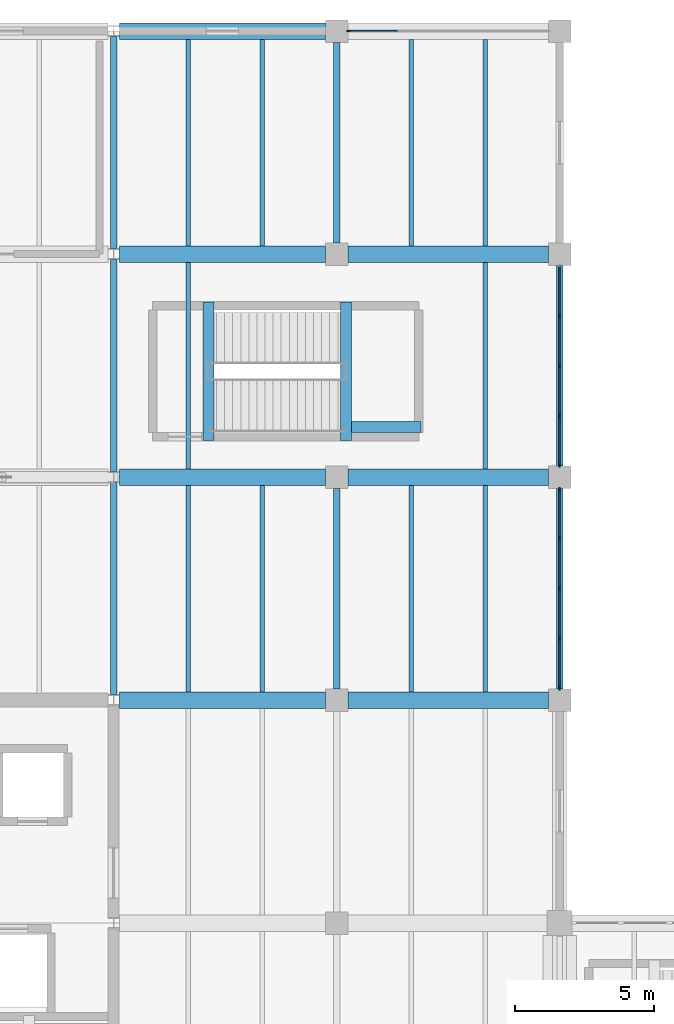
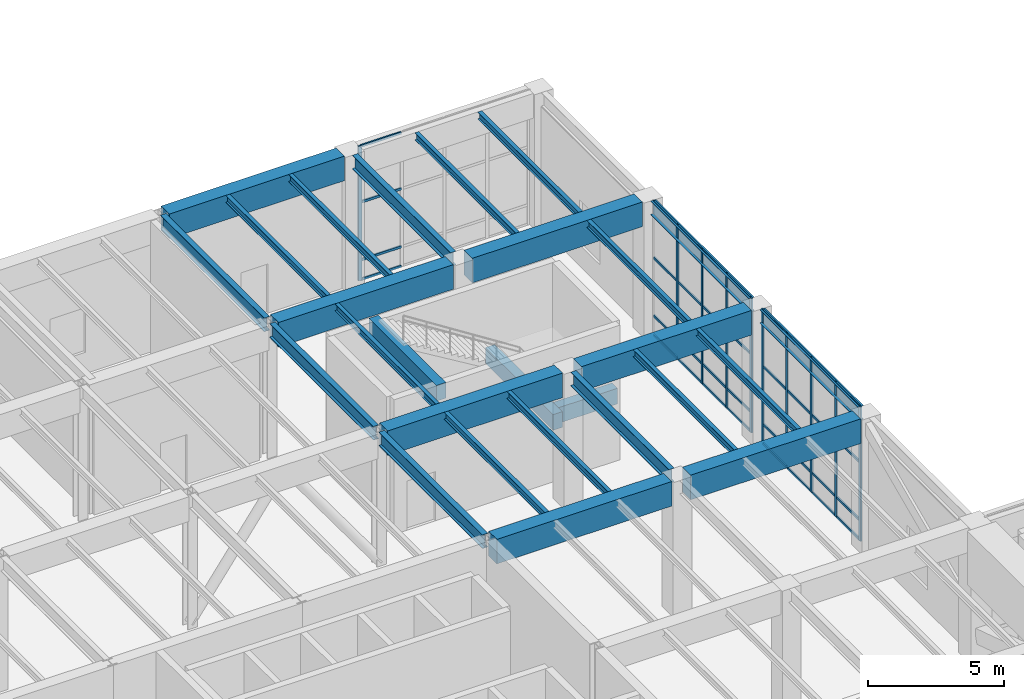
# One storey, part 23 of 51: 46 members, 27 beams, 3 elements without a shape of their own.
"""IFC4 building model written with IfcOpenShell, lengths in metres."""

import ifcopenshell
import ifcopenshell.guid

model = None  # the IFC model being written
_history = None  # IfcOwnerHistory: only IFC2X3 demands one
_inside = {}  # id of a spatial element -> (the spatial element, [elements in it])
_under = {}  # id of a project, library or spatial element -> (it, [spatial elements below it])
_declared = {}  # id of a project -> (the project, [libraries it declares])
_typed = {}  # id of a type object -> (the type object, [elements of that type])
_made_of = {}  # id of a material, layer set ... -> (it, [elements and type objects made of it])


def new_model(schema):
    """Start an empty IFC model of exactly this schema.

    Asked for "IFC4X3", IfcOpenShell would pick the latest addendum, in which some entities
    have other attributes; the version numbers below select the first issue.
    IFC2X3 requires an IfcOwnerHistory on every rooted entity: one is made here for all.
    """
    global model, _history
    if schema == "IFC4X3":
        model = ifcopenshell.file(schema_version=(4, 3, 0, 0))
    else:
        model = ifcopenshell.file(schema=schema)
    _inside.clear()
    _under.clear()
    _declared.clear()
    _typed.clear()
    _made_of.clear()
    _history = None
    if model.schema == "IFC2X3":
        org = make("IfcOrganization", Name="unknown")
        user = make(
            "IfcPersonAndOrganization",
            ThePerson=make("IfcPerson", FamilyName="unknown"),
            TheOrganization=org,
        )
        app = make(
            "IfcApplication",
            ApplicationDeveloper=org,
            Version="unknown",
            ApplicationFullName="unknown",
            ApplicationIdentifier="unknown",
        )
        _history = make(
            "IfcOwnerHistory",
            OwningUser=user,
            OwningApplication=app,
            ChangeAction="ADDED",
            CreationDate=0,
        )
    return model


def make(cls, **values):
    """One entity of the class cls with the attributes given. An attribute that is None is left unset."""
    return model.create_entity(
        cls, **{name: value for name, value in values.items() if value is not None}
    )


def rooted(cls, **values):
    """An entity with a GlobalId (a new one), such as an element, a storey or a relation."""
    return make(cls, GlobalId=ifcopenshell.guid.new(), OwnerHistory=_history, **values)


def si_unit(unit_type, name, prefix=None):
    """IfcSIUnit, for example si_unit("LENGTHUNIT", "METRE", prefix="MILLI")."""
    return make("IfcSIUnit", UnitType=unit_type, Prefix=prefix, Name=name)


def assignment(units):
    """IfcUnitAssignment: the units of a project."""
    return None if units is None else make("IfcUnitAssignment", Units=units)


def point(xyz):
    """IfcCartesianPoint."""
    return None if xyz is None else make("IfcCartesianPoint", Coordinates=xyz)


def direction(xyz):
    """IfcDirection."""
    return None if xyz is None else make("IfcDirection", DirectionRatios=xyz)


def frame(location, z_axis=None, x_axis=None):
    """IfcAxis2Placement3D, a coordinate frame: its origin and axes. An axis left out is left unset."""
    return make(
        "IfcAxis2Placement3D",
        Location=point(location),
        Axis=direction(z_axis),
        RefDirection=direction(x_axis),
    )


def frame_2d(location, x_axis=None):
    """IfcAxis2Placement2D, a coordinate frame in the plane: its origin and x axis."""
    return make(
        "IfcAxis2Placement2D", Location=point(location), RefDirection=direction(x_axis)
    )


def origin():
    """The frame at (0, 0, 0) with its axes left unset."""
    return frame((0.0, 0.0, 0.0))


def origin_2d():
    """The frame at (0, 0) in the plane with its x axis left unset."""
    return frame_2d((0.0, 0.0))


def place(relative_to, where):
    """IfcLocalPlacement: puts the frame where relative to a parent placement (None: the world)."""
    return make(
        "IfcLocalPlacement", PlacementRelTo=relative_to, RelativePlacement=where
    )


def context(
    kind, dimensions, precision=None, world=None, true_north=None, identifier=None
):
    """IfcGeometricRepresentationContext, for example the 3D "Model" context."""
    return make(
        "IfcGeometricRepresentationContext",
        ContextIdentifier=identifier,
        ContextType=kind,
        CoordinateSpaceDimension=dimensions,
        Precision=precision,
        WorldCoordinateSystem=world,
        TrueNorth=true_north,
    )


def subcontext(parent, identifier, kind, view, scale=None):
    """IfcGeometricRepresentationSubContext, for example "Body" below "Model"."""
    return make(
        "IfcGeometricRepresentationSubContext",
        ContextIdentifier=identifier,
        ContextType=kind,
        ParentContext=parent,
        TargetScale=scale,
        TargetView=view,
    )


def project(units=None, contexts=None):
    """IfcProject with its units and contexts."""
    return rooted(
        "IfcProject",
        Name="project",
        RepresentationContexts=contexts,
        UnitsInContext=assignment(units),
    )


def spatial(cls, under=None, at=None, **own):
    """A site, building, storey or space (cls), placed at a placement, below another one or the project."""
    s = rooted(cls, ObjectPlacement=at, **own)
    if under is not None:
        _under.setdefault(under.id(), (under, []))[1].append(s)
    return s


def profile(cls, at=None, kind="AREA", **sizes):
    """A parametric profile (cls). Its sizes go by their IFC names, for example OverallWidth=200.0."""
    return make(cls, ProfileType=kind, Position=at, **sizes)


def rectangle(**sizes):
    """IfcRectangleProfileDef."""
    return profile("IfcRectangleProfileDef", **sizes)


def i_section(**sizes):
    """IfcIShapeProfileDef."""
    return profile("IfcIShapeProfileDef", **sizes)


def extrude(swept, where, along, depth):
    """IfcExtrudedAreaSolid: the profile swept, set in the frame where, extruded along a direction by depth."""
    return make(
        "IfcExtrudedAreaSolid",
        SweptArea=swept,
        Position=where,
        ExtrudedDirection=direction(along),
        Depth=depth,
    )


def shape(context_of_items, identifier, shape_type, items):
    """IfcShapeRepresentation: the items that make up one representation, for example the "Body"."""
    return make(
        "IfcShapeRepresentation",
        ContextOfItems=context_of_items,
        RepresentationIdentifier=identifier,
        RepresentationType=shape_type,
        Items=items,
    )


def material(Name=None, Category=None):
    """IfcMaterial."""
    return make("IfcMaterial", Name=Name, Category=Category)


def layer(
    of_material, thickness, ventilated=None, Name=None, Category=None, Priority=None
):
    """IfcMaterialLayer: one layer of a wall or slab, of a material (None: an air gap)."""
    return make(
        "IfcMaterialLayer",
        Material=of_material,
        LayerThickness=thickness,
        IsVentilated=ventilated,
        Name=Name,
        Category=Category,
        Priority=Priority,
    )


def layer_set(layers, Name=None):
    """IfcMaterialLayerSet."""
    return make("IfcMaterialLayerSet", MaterialLayers=layers, LayerSetName=Name)


def material_profile(
    of_material, cross_section, Name=None, Category=None, Priority=None
):
    """IfcMaterialProfile: a cross section and its material."""
    return make(
        "IfcMaterialProfile",
        Name=Name,
        Material=of_material,
        Profile=cross_section,
        Priority=Priority,
        Category=Category,
    )


def profile_set(profiles, Name=None, composite=None):
    """IfcMaterialProfileSet."""
    return make(
        "IfcMaterialProfileSet",
        Name=Name,
        MaterialProfiles=profiles,
        CompositeProfile=composite,
    )


def made_of(thing, what):
    """Note that an element or type object is made of a material, layer set ...; save() writes the relation."""
    if what is not None:
        _made_of.setdefault(what.id(), (what, []))[1].append(thing)
    return thing


def type_object(cls, material=None, **own):
    """A type object (cls), such as IfcWallType, which elements share."""
    return made_of(rooted(cls, **own), material)


def element(
    cls,
    number,
    at=None,
    inside=None,
    cuts=None,
    type_object=None,
    material=None,
    context=None,
    identifier="Body",
    shape_type=None,
    held_by="IfcProductDefinitionShape",
    body=None,
    shapes=None,
    **own,
):
    """One element of the class cls, such as IfcWall. Its Tag is "e" and its number.

    at: its placement. inside: the storey or other place that contains it. cuts: it is an
    opening in that element (IfcRelVoidsElement). A single representation is given by context,
    identifier, shape_type and body (its items); several are given by shapes. held_by: the class
    of the entity that holds the representations. save() writes the other relations.
    """
    e = rooted(cls, Tag="e%d" % number, ObjectPlacement=at, **own)
    if body is not None:
        shapes = [shape(context, identifier, shape_type, body)]
    if shapes is not None:
        e.Representation = make(held_by, Representations=shapes)
    if inside is not None:
        _inside.setdefault(inside.id(), (inside, []))[1].append(e)
    if cuts is not None:
        rooted(
            "IfcRelVoidsElement", RelatingBuildingElement=cuts, RelatedOpeningElement=e
        )
    if type_object is not None:
        _typed.setdefault(type_object.id(), (type_object, []))[1].append(e)
    return made_of(e, material)


def aggregate(whole, parts):
    """IfcRelAggregates: a whole, such as a stair, and the parts it consists of."""
    return rooted("IfcRelAggregates", RelatingObject=whole, RelatedObjects=parts)


def save(model, path):
    """Write the relations noted so far, then the file.

    IfcRelAggregates (storeys below a building ...), IfcRelContainedInSpatialStructure (elements
    in a storey), IfcRelDefinesByType, IfcRelAssociatesMaterial and IfcRelDeclares: one each for
    every whole, place, type object, material and project.
    """
    for whole, parts in _under.values():
        aggregate(whole, parts)
    for where, things in _inside.values():
        rooted(
            "IfcRelContainedInSpatialStructure",
            RelatedElements=things,
            RelatingStructure=where,
        )
    for kind, things in _typed.values():
        rooted("IfcRelDefinesByType", RelatedObjects=things, RelatingType=kind)
    for what, things in _made_of.values():
        rooted("IfcRelAssociatesMaterial", RelatedObjects=things, RelatingMaterial=what)
    for by, libraries in _declared.values():
        rooted("IfcRelDeclares", RelatingContext=by, RelatedDefinitions=libraries)
    model.write(path)


model = new_model("IFC4")

# Units and contexts
model_context = context("Model", 3, precision=1e-05, world=origin(), true_north=direction((0.0, 1.0)))
body_context = subcontext(model_context, "Body", "Model", "MODEL_VIEW")
ifc_project = project(units=[si_unit("LENGTHUNIT", "METRE"), si_unit("AREAUNIT", "SQUARE_METRE"), si_unit("VOLUMEUNIT", "CUBIC_METRE"), si_unit("PLANEANGLEUNIT", "RADIAN"), si_unit("MASSUNIT", "GRAM", prefix="KILO")], contexts=[model_context])

# Site, building, storey
site_placement = place(None, origin())
site = spatial("IfcSite", under=ifc_project, at=site_placement, CompositionType="ELEMENT")
building_placement = place(site_placement, origin())
building = spatial("IfcBuilding", under=site, at=building_placement, Name="Varnela Railside Interchange", CompositionType="ELEMENT")
storey_placement = place(building_placement, origin())
storey = spatial("IfcBuildingStorey", under=building, at=storey_placement, Name="L00", CompositionType="ELEMENT", Elevation=0.0)

# Beams
ifc_material_1 = material(Name="Steel AR 350 (350 MPa)", Category="steel")
ifc_material_profile_1 = material_profile(ifc_material_1, i_section(OverallWidth=0.1669921875, OverallDepth=0.31689453125, WebThickness=0.007568359375, FlangeThickness=0.01318359375, at=origin_2d()), Name="W310x52")
ifc_profile_set_1 = profile_set([ifc_material_profile_1], Name="Steel AR 350 (350 MPa)")
beam_type_1 = type_object("IfcBeamType", Name="Composite Long-Span Joist J-03", PredefinedType="JOIST", material=ifc_profile_set_1)
for number, where, z_axis, x_axis, name in (
    (1, (38.669921875, 70.300048828125, 5.861572265625), (0.0, 1.0, 0.0), (-1.0, 0.0, 0.0), "Composite Long-Span Joist J-03 (L00) (BM-1153)"),
    (2, (41.330078125, 70.300048828125, 5.861572265625), (0.0, 1.0, 0.0), (-1.0, 0.0, 0.0), "Composite Long-Span Joist J-03 (L00) (BM-1154)"),
    (3, (38.669921875, 78.300048828125, 5.861572265625), (0.0, 1.0, 0.0), (-1.0, 0.0, 0.0), "Composite Long-Span Joist J-03 (L00) (BM-1155)"),
    (4, (38.669921875, 86.300048828125, 5.861572265625), (0.0, 1.0, 0.0), (-1.0, 0.0, 0.0), "Composite Long-Span Joist J-03 (L00) (BM-1142)"),
    (5, (41.330078125, 86.300048828125, 5.861572265625), (0.0, 1.0, 0.0), (-1.0, 0.0, 0.0), "Composite Long-Span Joist J-03 (L00) (BM-1143)"),
    (6, (46.669921875, 70.300048828125, 5.861572265625), (0.0, 1.0, 0.0), (-1.0, 0.0, 0.0), "Composite Long-Span Joist J-03 (L00) (BM-1167)"),
    (7, (49.330078125, 70.300048828125, 5.861572265625), (0.0, 1.0, 0.0), (-1.0, 0.0, 0.0), "Composite Long-Span Joist J-03 (L00) (BM-1168)"),
    (8, (49.330078125, 78.300048828125, 5.861572265625), (0.0, 1.0, 0.0), (-1.0, 0.0, 0.0), "Composite Long-Span Joist J-03 (L00) (BM-1169)"),
    (9, (46.669921875, 86.300048828125, 5.861572265625), (0.0, 1.0, 0.0), (-1.0, 0.0, 0.0), "Composite Long-Span Joist J-03 (L00) (BM-1156)"),
    (10, (49.330078125, 86.300048828125, 5.861572265625), (0.0, 1.0, 0.0), (-1.0, 0.0, 0.0), "Composite Long-Span Joist J-03 (L00) (BM-1157)"),
):
    element("IfcBeam", number, at=place(storey_placement, frame(where, z_axis=z_axis, x_axis=x_axis)), inside=storey, type_object=beam_type_1, Name=name, PredefinedType="JOIST", context=body_context, shape_type="SweptSolid", body=[
        extrude(i_section(OverallWidth=0.1669921875, OverallDepth=0.31689453125, WebThickness=0.007568359375, FlangeThickness=0.01318359375, at=origin_2d()), origin(), (0.0, 0.0, 1.0), 7.39990234375),
    ])
ifc_material_2 = material(Name="Concrete C50", Category="concrete")
ifc_material_profile_2 = material_profile(ifc_material_2, rectangle(XDim=0.60009765625, YDim=1.10009765625, at=origin_2d()), Name="RC 600x1100")
ifc_profile_set_2 = profile_set([ifc_material_profile_2], Name="Concrete C50")
beam_type_2 = type_object("IfcBeamType", Name="Concourse RC Girder B-06", PredefinedType="BEAM", material=ifc_profile_set_2)
beam_1_placement = place(storey_placement, frame((36.202880859375, 70.0, 5.469970703125), z_axis=(1.0, 0.0, 0.0), x_axis=(0.0, 1.0, 0.0)))
element("IfcBeam", 11, at=beam_1_placement, inside=storey, type_object=beam_type_2, Name="Concourse RC Girder B-06 (L00) (BM-1270)", PredefinedType="BEAM", context=body_context, shape_type="SweptSolid", body=[
    extrude(rectangle(XDim=0.60009765625, YDim=1.10009765625, at=origin_2d()), origin(), (0.0, 0.0, 1.0), 7.397216796875),
])
beam_2_placement = place(storey_placement, frame((44.39990234375, 70.0, 5.469970703125), z_axis=(1.0, 0.0, 0.0), x_axis=(0.0, 1.0, 0.0)))
element("IfcBeam", 12, at=beam_2_placement, inside=storey, type_object=beam_type_2, Name="Concourse RC Girder B-06 (L00) (BM-1271)", PredefinedType="BEAM", context=body_context, shape_type="SweptSolid", body=[
    extrude(rectangle(XDim=0.60009765625, YDim=1.10009765625, at=origin_2d()), origin(), (0.0, 0.0, 1.0), 7.2001953125),
])
beam_3_placement = place(storey_placement, frame((36.200439453125, 78.0, 5.469970703125), z_axis=(1.0, 0.0, 0.0), x_axis=(0.0, 1.0, 0.0)))
element("IfcBeam", 13, at=beam_3_placement, inside=storey, type_object=beam_type_2, Name="Concourse RC Girder B-06 (L00) (BM-1279)", PredefinedType="BEAM", context=body_context, shape_type="SweptSolid", body=[
    extrude(rectangle(XDim=0.60009765625, YDim=1.10009765625, at=origin_2d()), origin(), (0.0, 0.0, 1.0), 7.399658203125),
])
beam_4_placement = place(storey_placement, frame((44.39990234375, 78.0, 5.469970703125), z_axis=(1.0, 0.0, 0.0), x_axis=(0.0, 1.0, 0.0)))
element("IfcBeam", 14, at=beam_4_placement, inside=storey, type_object=beam_type_2, Name="Concourse RC Girder B-06 (L00) (BM-1280)", PredefinedType="BEAM", context=body_context, shape_type="SweptSolid", body=[
    extrude(rectangle(XDim=0.60009765625, YDim=1.10009765625, at=origin_2d()), origin(), (0.0, 0.0, 1.0), 7.2001953125),
])
beam_5_placement = place(storey_placement, frame((36.200439453125, 86.0, 5.469970703125), z_axis=(1.0, 0.0, 0.0), x_axis=(0.0, 1.0, 0.0)))
element("IfcBeam", 15, at=beam_5_placement, inside=storey, type_object=beam_type_2, Name="Concourse RC Girder B-06 (L00) (BM-1288)", PredefinedType="BEAM", context=body_context, shape_type="SweptSolid", body=[
    extrude(rectangle(XDim=0.60009765625, YDim=1.10009765625, at=origin_2d()), origin(), (0.0, 0.0, 1.0), 7.399658203125),
])
beam_6_placement = place(storey_placement, frame((44.39990234375, 86.0, 5.469970703125), z_axis=(1.0, 0.0, 0.0), x_axis=(0.0, 1.0, 0.0)))
element("IfcBeam", 16, at=beam_6_placement, inside=storey, type_object=beam_type_2, Name="Concourse RC Girder B-06 (L00) (BM-1289)", PredefinedType="BEAM", context=body_context, shape_type="SweptSolid", body=[
    extrude(rectangle(XDim=0.60009765625, YDim=1.10009765625, at=origin_2d()), origin(), (0.0, 0.0, 1.0), 7.2001953125),
])
beam_7_placement = place(storey_placement, frame((36.200439453125, 94.0, 5.469970703125), z_axis=(1.0, 0.0, 0.0), x_axis=(0.0, 1.0, 0.0)))
element("IfcBeam", 17, at=beam_7_placement, inside=storey, type_object=beam_type_2, Name="Concourse RC Girder B-06 (L00) (BM-1297)", PredefinedType="BEAM", context=body_context, shape_type="SweptSolid", body=[
    extrude(rectangle(XDim=0.60009765625, YDim=1.10009765625, at=origin_2d()), origin(), (0.0, 0.0, 1.0), 7.399658203125),
])
ifc_material_3 = material(Name="Concrete C40", Category="concrete")
ifc_material_profile_3 = material_profile(ifc_material_3, rectangle(XDim=0.39990234375, YDim=0.699951171875, at=origin_2d()), Name="RC 400x700")
ifc_profile_set_3 = profile_set([ifc_material_profile_3], Name="Concrete C40")
beam_type_3 = type_object("IfcBeamType", Name="Concrete Tie Beam B-01", PredefinedType="BEAM", material=ifc_profile_set_3)
for number, where, z_axis, x_axis, name in (
    (18, (39.39990234375, 79.320068359375, 5.669921875), (0.0, 1.0, 0.0), (-1.0, 0.0, 0.0), "Concrete Tie Beam B-01 (L00) (BM-1457)"),
    (19, (44.330078125, 79.320068359375, 2.639892578125), (0.0, 1.0, 0.0), (-1.0, 0.0, 0.0), "Concrete Tie Beam B-01 (L00) (BM-1444)"),
):
    element("IfcBeam", number, at=place(storey_placement, frame(where, z_axis=z_axis, x_axis=x_axis)), inside=storey, type_object=beam_type_3, Name=name, PredefinedType="BEAM", context=body_context, shape_type="SweptSolid", body=[
        extrude(rectangle(XDim=0.39990234375, YDim=0.699951171875, at=origin_2d()), origin(), (0.0, 0.0, 1.0), 4.9599609375),
    ])
beam_8_placement = place(storey_placement, frame((44.530029296875, 79.800048828125, 2.639892578125), z_axis=(1.0, 0.0, 0.0), x_axis=(0.0, 1.0, 0.0)))
element("IfcBeam", 20, at=beam_8_placement, inside=storey, type_object=beam_type_3, Name="Concrete Tie Beam B-01 (L00) (BM-1431)", PredefinedType="BEAM", context=body_context, shape_type="SweptSolid", body=[
    extrude(rectangle(XDim=0.39990234375, YDim=0.699951171875, at=origin_2d()), origin(), (0.0, 0.0, 1.0), 2.489990234375),
])

# Curtain wall, member
ifc_material_4 = material(Name="Aluminium 6063-T6", Category="aluminium")
ifc_layer = layer(ifc_material_4, 0.035888671875)
ifc_layer_set = layer_set([ifc_layer], Name="Aluminium 6063-T6")
curtain_wall_type = type_object("IfcCurtainWallType", Name="Operations Wing Facade Curtain Wall CW-03", PredefinedType="USERDEFINED", material=ifc_layer_set)
curtain_wall_1_placement = place(storey_placement, origin())
curtain_wall_1 = element("IfcCurtainWall", 21, at=curtain_wall_1_placement, inside=storey, type_object=curtain_wall_type, Name="Curtain Wall CW-03 (L00) (CW-003)", ObjectType="CURTAIN WALL", PredefinedType="USERDEFINED")
ifc_material_profile_4 = material_profile(ifc_material_4, rectangle(XDim=0.06005859375, YDim=0.139892578125, at=origin_2d()), Name="ALU 60x140")
ifc_profile_set_4 = profile_set([ifc_material_profile_4], Name="Aluminium 6063-T6")
member_type_1 = type_object("IfcMemberType", Name="Curtain Wall Mullion ML-01", PredefinedType="MULLION", material=ifc_profile_set_4)
member_1_placement = place(storey_placement, frame((44.429931640625, 94.0, 0.0), z_axis=(0.0, 0.0, 1.0), x_axis=(0.0, 1.0, 0.0)))
member_1 = element("IfcMember", 22, at=member_1_placement, type_object=member_type_1, Name="CW-03 mullion 1", PredefinedType="MULLION", context=body_context, shape_type="SweptSolid", body=[
    extrude(rectangle(XDim=0.06005859375, YDim=0.139892578125, at=origin_2d()), origin(), (0.0, 0.0, 1.0), 6.02001953125),
])

# Curtain wall, members
curtain_wall_2_placement = place(storey_placement, origin())
curtain_wall_2 = element("IfcCurtainWall", 23, at=curtain_wall_2_placement, inside=storey, type_object=curtain_wall_type, Name="Curtain Wall CW-03 (L00) (CW-004)", ObjectType="CURTAIN WALL", PredefinedType="USERDEFINED")
member_2_placement = place(storey_placement, frame((52.0, 83.800048828125, 0.0), z_axis=(0.0, 0.0, 1.0), x_axis=(1.0, 0.0, 0.0)))
member_2 = element("IfcMember", 24, at=member_2_placement, type_object=member_type_1, Name="CW-03 mullion 2", PredefinedType="MULLION", context=body_context, shape_type="SweptSolid", body=[
    extrude(rectangle(XDim=0.06005859375, YDim=0.139892578125, at=origin_2d()), origin(), (0.0, 0.0, 1.0), 6.02001953125),
])
member_3_placement = place(storey_placement, frame((52.0, 82.0, 0.0), z_axis=(0.0, 0.0, 1.0), x_axis=(1.0, 0.0, 0.0)))
member_3 = element("IfcMember", 25, at=member_3_placement, type_object=member_type_1, Name="CW-03 mullion 3", PredefinedType="MULLION", context=body_context, shape_type="SweptSolid", body=[
    extrude(rectangle(XDim=0.06005859375, YDim=0.139892578125, at=origin_2d()), origin(), (0.0, 0.0, 1.0), 6.02001953125),
])
member_4_placement = place(storey_placement, frame((52.0, 80.199951171875, 0.0), z_axis=(0.0, 0.0, 1.0), x_axis=(1.0, 0.0, 0.0)))
member_4 = element("IfcMember", 26, at=member_4_placement, type_object=member_type_1, Name="CW-03 mullion 4", PredefinedType="MULLION", context=body_context, shape_type="SweptSolid", body=[
    extrude(rectangle(XDim=0.06005859375, YDim=0.139892578125, at=origin_2d()), origin(), (0.0, 0.0, 1.0), 6.02001953125),
])
member_5_placement = place(storey_placement, frame((52.0, 78.429931640625, 0.0), z_axis=(0.0, 0.0, 1.0), x_axis=(1.0, 0.0, 0.0)))
member_5 = element("IfcMember", 27, at=member_5_placement, type_object=member_type_1, Name="CW-03 mullion 5", PredefinedType="MULLION", context=body_context, shape_type="SweptSolid", body=[
    extrude(rectangle(XDim=0.06005859375, YDim=0.139892578125, at=origin_2d()), origin(), (0.0, 0.0, 1.0), 6.02001953125),
])

curtain_wall_3_placement = place(storey_placement, origin())
curtain_wall_3 = element("IfcCurtainWall", 28, at=curtain_wall_3_placement, inside=storey, type_object=curtain_wall_type, Name="Curtain Wall CW-03 (L00) (CW-005)", ObjectType="CURTAIN WALL", PredefinedType="USERDEFINED")
member_6_placement = place(storey_placement, frame((52.0, 77.570068359375, 0.0), z_axis=(0.0, 0.0, 1.0), x_axis=(1.0, 0.0, 0.0)))
member_6 = element("IfcMember", 29, at=member_6_placement, type_object=member_type_1, Name="CW-03 mullion 1", PredefinedType="MULLION", context=body_context, shape_type="SweptSolid", body=[
    extrude(rectangle(XDim=0.06005859375, YDim=0.139892578125, at=origin_2d()), origin(), (0.0, 0.0, 1.0), 6.02001953125),
])
member_7_placement = place(storey_placement, frame((52.0, 75.800048828125, 0.0), z_axis=(0.0, 0.0, 1.0), x_axis=(1.0, 0.0, 0.0)))
member_7 = element("IfcMember", 30, at=member_7_placement, type_object=member_type_1, Name="CW-03 mullion 2", PredefinedType="MULLION", context=body_context, shape_type="SweptSolid", body=[
    extrude(rectangle(XDim=0.06005859375, YDim=0.139892578125, at=origin_2d()), origin(), (0.0, 0.0, 1.0), 6.02001953125),
])
member_8_placement = place(storey_placement, frame((52.0, 74.0, 0.0), z_axis=(0.0, 0.0, 1.0), x_axis=(1.0, 0.0, 0.0)))
member_8 = element("IfcMember", 31, at=member_8_placement, type_object=member_type_1, Name="CW-03 mullion 3", PredefinedType="MULLION", context=body_context, shape_type="SweptSolid", body=[
    extrude(rectangle(XDim=0.06005859375, YDim=0.139892578125, at=origin_2d()), origin(), (0.0, 0.0, 1.0), 6.02001953125),
])
member_9_placement = place(storey_placement, frame((52.0, 72.199951171875, 0.0), z_axis=(0.0, 0.0, 1.0), x_axis=(1.0, 0.0, 0.0)))
member_9 = element("IfcMember", 32, at=member_9_placement, type_object=member_type_1, Name="CW-03 mullion 4", PredefinedType="MULLION", context=body_context, shape_type="SweptSolid", body=[
    extrude(rectangle(XDim=0.06005859375, YDim=0.139892578125, at=origin_2d()), origin(), (0.0, 0.0, 1.0), 6.02001953125),
])
member_10_placement = place(storey_placement, frame((52.0, 70.429931640625, 0.0), z_axis=(0.0, 0.0, 1.0), x_axis=(1.0, 0.0, 0.0)))
member_10 = element("IfcMember", 33, at=member_10_placement, type_object=member_type_1, Name="CW-03 mullion 5", PredefinedType="MULLION", context=body_context, shape_type="SweptSolid", body=[
    extrude(rectangle(XDim=0.06005859375, YDim=0.139892578125, at=origin_2d()), origin(), (0.0, 0.0, 1.0), 6.02001953125),
])

# Member
ifc_material_profile_5 = material_profile(ifc_material_4, rectangle(XDim=0.06005859375, YDim=0.110107421875, at=origin_2d()), Name="ALU 60x110")
ifc_profile_set_5 = profile_set([ifc_material_profile_5], Name="Aluminium 6063-T6")
member_type_2 = type_object("IfcMemberType", Name="Curtain Wall Transom TR-01", PredefinedType="USERDEFINED", material=ifc_profile_set_5)
member_11_placement = place(storey_placement, frame((44.4599609375, 94.0, 0.030029296875), z_axis=(1.0, 0.0, 0.0), x_axis=(0.0, 1.0, 0.0)))
member_11 = element("IfcMember", 34, at=member_11_placement, type_object=member_type_2, Name="CW-03 transom 1.1", ObjectType="TRANSOM", PredefinedType="USERDEFINED", context=body_context, shape_type="SweptSolid", body=[
    extrude(rectangle(XDim=0.06005859375, YDim=0.110107421875, at=origin_2d()), origin(), (0.0, 0.0, 1.0), 1.7099609375),
])

member_12_placement = place(storey_placement, frame((44.4599609375, 94.0, 0.89990234375), z_axis=(1.0, 0.0, 0.0), x_axis=(0.0, 1.0, 0.0)))
member_12 = element("IfcMember", 35, at=member_12_placement, type_object=member_type_2, Name="CW-03 transom 1.2", ObjectType="TRANSOM", PredefinedType="USERDEFINED", context=body_context, shape_type="SweptSolid", body=[
    extrude(rectangle(XDim=0.06005859375, YDim=0.110107421875, at=origin_2d()), origin(), (0.0, 0.0, 1.0), 1.7099609375),
])

member_13_placement = place(storey_placement, frame((44.4599609375, 94.0, 3.49169921875), z_axis=(1.0, 0.0, 0.0), x_axis=(0.0, 1.0, 0.0)))
member_13 = element("IfcMember", 36, at=member_13_placement, type_object=member_type_2, Name="CW-03 transom 1.3", ObjectType="TRANSOM", PredefinedType="USERDEFINED", context=body_context, shape_type="SweptSolid", body=[
    extrude(rectangle(XDim=0.06005859375, YDim=0.110107421875, at=origin_2d()), origin(), (0.0, 0.0, 1.0), 1.7099609375),
])

member_14_placement = place(storey_placement, frame((44.4599609375, 94.0, 5.989990234375), z_axis=(1.0, 0.0, 0.0), x_axis=(0.0, 1.0, 0.0)))
member_14 = element("IfcMember", 37, at=member_14_placement, type_object=member_type_2, Name="CW-03 transom 1.4", ObjectType="TRANSOM", PredefinedType="USERDEFINED", context=body_context, shape_type="SweptSolid", body=[
    extrude(rectangle(XDim=0.06005859375, YDim=0.110107421875, at=origin_2d()), origin(), (0.0, 0.0, 1.0), 1.7099609375),
])

aggregate(curtain_wall_1, [member_1, member_11, member_12, member_13, member_14])

member_15_placement = place(storey_placement, frame((52.0, 85.5400390625, 0.030029296875), z_axis=(0.0, -1.0, 0.0), x_axis=(1.0, 0.0, 0.0)))
member_15 = element("IfcMember", 38, at=member_15_placement, type_object=member_type_2, Name="CW-03 transom 1.1", ObjectType="TRANSOM", PredefinedType="USERDEFINED", context=body_context, shape_type="SweptSolid", body=[
    extrude(rectangle(XDim=0.06005859375, YDim=0.110107421875, at=origin_2d()), origin(), (0.0, 0.0, 1.0), 1.7099609375),
])

member_16_placement = place(storey_placement, frame((52.0, 85.5400390625, 0.89990234375), z_axis=(0.0, -1.0, 0.0), x_axis=(1.0, 0.0, 0.0)))
member_16 = element("IfcMember", 39, at=member_16_placement, type_object=member_type_2, Name="CW-03 transom 1.2", ObjectType="TRANSOM", PredefinedType="USERDEFINED", context=body_context, shape_type="SweptSolid", body=[
    extrude(rectangle(XDim=0.06005859375, YDim=0.110107421875, at=origin_2d()), origin(), (0.0, 0.0, 1.0), 1.7099609375),
])

member_17_placement = place(storey_placement, frame((52.0, 85.5400390625, 3.49169921875), z_axis=(0.0, -1.0, 0.0), x_axis=(1.0, 0.0, 0.0)))
member_17 = element("IfcMember", 40, at=member_17_placement, type_object=member_type_2, Name="CW-03 transom 1.3", ObjectType="TRANSOM", PredefinedType="USERDEFINED", context=body_context, shape_type="SweptSolid", body=[
    extrude(rectangle(XDim=0.06005859375, YDim=0.110107421875, at=origin_2d()), origin(), (0.0, 0.0, 1.0), 1.7099609375),
])

member_18_placement = place(storey_placement, frame((52.0, 85.5400390625, 5.989990234375), z_axis=(0.0, -1.0, 0.0), x_axis=(1.0, 0.0, 0.0)))
member_18 = element("IfcMember", 41, at=member_18_placement, type_object=member_type_2, Name="CW-03 transom 1.4", ObjectType="TRANSOM", PredefinedType="USERDEFINED", context=body_context, shape_type="SweptSolid", body=[
    extrude(rectangle(XDim=0.06005859375, YDim=0.110107421875, at=origin_2d()), origin(), (0.0, 0.0, 1.0), 1.7099609375),
])

member_19_placement = place(storey_placement, frame((52.0, 83.77001953125, 0.030029296875), z_axis=(0.0, -1.0, 0.0), x_axis=(1.0, 0.0, 0.0)))
member_19 = element("IfcMember", 42, at=member_19_placement, type_object=member_type_2, Name="CW-03 transom 2.1", ObjectType="TRANSOM", PredefinedType="USERDEFINED", context=body_context, shape_type="SweptSolid", body=[
    extrude(rectangle(XDim=0.06005859375, YDim=0.110107421875, at=origin_2d()), origin(), (0.0, 0.0, 1.0), 1.739990234375),
])

member_20_placement = place(storey_placement, frame((52.0, 83.77001953125, 0.89990234375), z_axis=(0.0, -1.0, 0.0), x_axis=(1.0, 0.0, 0.0)))
member_20 = element("IfcMember", 43, at=member_20_placement, type_object=member_type_2, Name="CW-03 transom 2.2", ObjectType="TRANSOM", PredefinedType="USERDEFINED", context=body_context, shape_type="SweptSolid", body=[
    extrude(rectangle(XDim=0.06005859375, YDim=0.110107421875, at=origin_2d()), origin(), (0.0, 0.0, 1.0), 1.739990234375),
])

member_21_placement = place(storey_placement, frame((52.0, 83.77001953125, 3.49169921875), z_axis=(0.0, -1.0, 0.0), x_axis=(1.0, 0.0, 0.0)))
member_21 = element("IfcMember", 44, at=member_21_placement, type_object=member_type_2, Name="CW-03 transom 2.3", ObjectType="TRANSOM", PredefinedType="USERDEFINED", context=body_context, shape_type="SweptSolid", body=[
    extrude(rectangle(XDim=0.06005859375, YDim=0.110107421875, at=origin_2d()), origin(), (0.0, 0.0, 1.0), 1.739990234375),
])

member_22_placement = place(storey_placement, frame((52.0, 83.77001953125, 5.989990234375), z_axis=(0.0, -1.0, 0.0), x_axis=(1.0, 0.0, 0.0)))
member_22 = element("IfcMember", 45, at=member_22_placement, type_object=member_type_2, Name="CW-03 transom 2.4", ObjectType="TRANSOM", PredefinedType="USERDEFINED", context=body_context, shape_type="SweptSolid", body=[
    extrude(rectangle(XDim=0.06005859375, YDim=0.110107421875, at=origin_2d()), origin(), (0.0, 0.0, 1.0), 1.739990234375),
])

member_23_placement = place(storey_placement, frame((52.0, 81.969970703125, 0.030029296875), z_axis=(0.0, -1.0, 0.0), x_axis=(1.0, 0.0, 0.0)))
member_23 = element("IfcMember", 46, at=member_23_placement, type_object=member_type_2, Name="CW-03 transom 3.1", ObjectType="TRANSOM", PredefinedType="USERDEFINED", context=body_context, shape_type="SweptSolid", body=[
    extrude(rectangle(XDim=0.06005859375, YDim=0.110107421875, at=origin_2d()), origin(), (0.0, 0.0, 1.0), 1.739990234375),
])

member_24_placement = place(storey_placement, frame((52.0, 81.969970703125, 0.89990234375), z_axis=(0.0, -1.0, 0.0), x_axis=(1.0, 0.0, 0.0)))
member_24 = element("IfcMember", 47, at=member_24_placement, type_object=member_type_2, Name="CW-03 transom 3.2", ObjectType="TRANSOM", PredefinedType="USERDEFINED", context=body_context, shape_type="SweptSolid", body=[
    extrude(rectangle(XDim=0.06005859375, YDim=0.110107421875, at=origin_2d()), origin(), (0.0, 0.0, 1.0), 1.739990234375),
])

member_25_placement = place(storey_placement, frame((52.0, 81.969970703125, 3.49169921875), z_axis=(0.0, -1.0, 0.0), x_axis=(1.0, 0.0, 0.0)))
member_25 = element("IfcMember", 48, at=member_25_placement, type_object=member_type_2, Name="CW-03 transom 3.3", ObjectType="TRANSOM", PredefinedType="USERDEFINED", context=body_context, shape_type="SweptSolid", body=[
    extrude(rectangle(XDim=0.06005859375, YDim=0.110107421875, at=origin_2d()), origin(), (0.0, 0.0, 1.0), 1.739990234375),
])

member_26_placement = place(storey_placement, frame((52.0, 81.969970703125, 5.989990234375), z_axis=(0.0, -1.0, 0.0), x_axis=(1.0, 0.0, 0.0)))
member_26 = element("IfcMember", 49, at=member_26_placement, type_object=member_type_2, Name="CW-03 transom 3.4", ObjectType="TRANSOM", PredefinedType="USERDEFINED", context=body_context, shape_type="SweptSolid", body=[
    extrude(rectangle(XDim=0.06005859375, YDim=0.110107421875, at=origin_2d()), origin(), (0.0, 0.0, 1.0), 1.739990234375),
])

member_27_placement = place(storey_placement, frame((52.0, 80.169921875, 0.030029296875), z_axis=(0.0, -1.0, 0.0), x_axis=(1.0, 0.0, 0.0)))
member_27 = element("IfcMember", 50, at=member_27_placement, type_object=member_type_2, Name="CW-03 transom 4.1", ObjectType="TRANSOM", PredefinedType="USERDEFINED", context=body_context, shape_type="SweptSolid", body=[
    extrude(rectangle(XDim=0.06005859375, YDim=0.110107421875, at=origin_2d()), origin(), (0.0, 0.0, 1.0), 1.7099609375),
])

member_28_placement = place(storey_placement, frame((52.0, 80.169921875, 0.89990234375), z_axis=(0.0, -1.0, 0.0), x_axis=(1.0, 0.0, 0.0)))
member_28 = element("IfcMember", 51, at=member_28_placement, type_object=member_type_2, Name="CW-03 transom 4.2", ObjectType="TRANSOM", PredefinedType="USERDEFINED", context=body_context, shape_type="SweptSolid", body=[
    extrude(rectangle(XDim=0.06005859375, YDim=0.110107421875, at=origin_2d()), origin(), (0.0, 0.0, 1.0), 1.7099609375),
])

member_29_placement = place(storey_placement, frame((52.0, 80.169921875, 3.49169921875), z_axis=(0.0, -1.0, 0.0), x_axis=(1.0, 0.0, 0.0)))
member_29 = element("IfcMember", 52, at=member_29_placement, type_object=member_type_2, Name="CW-03 transom 4.3", ObjectType="TRANSOM", PredefinedType="USERDEFINED", context=body_context, shape_type="SweptSolid", body=[
    extrude(rectangle(XDim=0.06005859375, YDim=0.110107421875, at=origin_2d()), origin(), (0.0, 0.0, 1.0), 1.7099609375),
])

member_30_placement = place(storey_placement, frame((52.0, 80.169921875, 5.989990234375), z_axis=(0.0, -1.0, 0.0), x_axis=(1.0, 0.0, 0.0)))
member_30 = element("IfcMember", 53, at=member_30_placement, type_object=member_type_2, Name="CW-03 transom 4.4", ObjectType="TRANSOM", PredefinedType="USERDEFINED", context=body_context, shape_type="SweptSolid", body=[
    extrude(rectangle(XDim=0.06005859375, YDim=0.110107421875, at=origin_2d()), origin(), (0.0, 0.0, 1.0), 1.7099609375),
])

aggregate(curtain_wall_2, [member_2, member_3, member_4, member_5, member_15, member_16, member_17, member_18, member_19, member_20, member_21, member_22, member_23, member_24, member_25, member_26, member_27, member_28, member_29, member_30])

member_31_placement = place(storey_placement, frame((52.0, 77.5400390625, 0.030029296875), z_axis=(0.0, -1.0, 0.0), x_axis=(1.0, 0.0, 0.0)))
member_31 = element("IfcMember", 54, at=member_31_placement, type_object=member_type_2, Name="CW-03 transom 1.1", ObjectType="TRANSOM", PredefinedType="USERDEFINED", context=body_context, shape_type="SweptSolid", body=[
    extrude(rectangle(XDim=0.06005859375, YDim=0.110107421875, at=origin_2d()), origin(), (0.0, 0.0, 1.0), 1.7099609375),
])

member_32_placement = place(storey_placement, frame((52.0, 77.5400390625, 0.89990234375), z_axis=(0.0, -1.0, 0.0), x_axis=(1.0, 0.0, 0.0)))
member_32 = element("IfcMember", 55, at=member_32_placement, type_object=member_type_2, Name="CW-03 transom 1.2", ObjectType="TRANSOM", PredefinedType="USERDEFINED", context=body_context, shape_type="SweptSolid", body=[
    extrude(rectangle(XDim=0.06005859375, YDim=0.110107421875, at=origin_2d()), origin(), (0.0, 0.0, 1.0), 1.7099609375),
])

member_33_placement = place(storey_placement, frame((52.0, 77.5400390625, 3.49169921875), z_axis=(0.0, -1.0, 0.0), x_axis=(1.0, 0.0, 0.0)))
member_33 = element("IfcMember", 56, at=member_33_placement, type_object=member_type_2, Name="CW-03 transom 1.3", ObjectType="TRANSOM", PredefinedType="USERDEFINED", context=body_context, shape_type="SweptSolid", body=[
    extrude(rectangle(XDim=0.06005859375, YDim=0.110107421875, at=origin_2d()), origin(), (0.0, 0.0, 1.0), 1.7099609375),
])

member_34_placement = place(storey_placement, frame((52.0, 77.5400390625, 5.989990234375), z_axis=(0.0, -1.0, 0.0), x_axis=(1.0, 0.0, 0.0)))
member_34 = element("IfcMember", 57, at=member_34_placement, type_object=member_type_2, Name="CW-03 transom 1.4", ObjectType="TRANSOM", PredefinedType="USERDEFINED", context=body_context, shape_type="SweptSolid", body=[
    extrude(rectangle(XDim=0.06005859375, YDim=0.110107421875, at=origin_2d()), origin(), (0.0, 0.0, 1.0), 1.7099609375),
])

member_35_placement = place(storey_placement, frame((52.0, 75.77001953125, 0.030029296875), z_axis=(0.0, -1.0, 0.0), x_axis=(1.0, 0.0, 0.0)))
member_35 = element("IfcMember", 58, at=member_35_placement, type_object=member_type_2, Name="CW-03 transom 2.1", ObjectType="TRANSOM", PredefinedType="USERDEFINED", context=body_context, shape_type="SweptSolid", body=[
    extrude(rectangle(XDim=0.06005859375, YDim=0.110107421875, at=origin_2d()), origin(), (0.0, 0.0, 1.0), 1.739990234375),
])

member_36_placement = place(storey_placement, frame((52.0, 75.77001953125, 0.89990234375), z_axis=(0.0, -1.0, 0.0), x_axis=(1.0, 0.0, 0.0)))
member_36 = element("IfcMember", 59, at=member_36_placement, type_object=member_type_2, Name="CW-03 transom 2.2", ObjectType="TRANSOM", PredefinedType="USERDEFINED", context=body_context, shape_type="SweptSolid", body=[
    extrude(rectangle(XDim=0.06005859375, YDim=0.110107421875, at=origin_2d()), origin(), (0.0, 0.0, 1.0), 1.739990234375),
])

member_37_placement = place(storey_placement, frame((52.0, 75.77001953125, 3.49169921875), z_axis=(0.0, -1.0, 0.0), x_axis=(1.0, 0.0, 0.0)))
member_37 = element("IfcMember", 60, at=member_37_placement, type_object=member_type_2, Name="CW-03 transom 2.3", ObjectType="TRANSOM", PredefinedType="USERDEFINED", context=body_context, shape_type="SweptSolid", body=[
    extrude(rectangle(XDim=0.06005859375, YDim=0.110107421875, at=origin_2d()), origin(), (0.0, 0.0, 1.0), 1.739990234375),
])

member_38_placement = place(storey_placement, frame((52.0, 75.77001953125, 5.989990234375), z_axis=(0.0, -1.0, 0.0), x_axis=(1.0, 0.0, 0.0)))
member_38 = element("IfcMember", 61, at=member_38_placement, type_object=member_type_2, Name="CW-03 transom 2.4", ObjectType="TRANSOM", PredefinedType="USERDEFINED", context=body_context, shape_type="SweptSolid", body=[
    extrude(rectangle(XDim=0.06005859375, YDim=0.110107421875, at=origin_2d()), origin(), (0.0, 0.0, 1.0), 1.739990234375),
])

member_39_placement = place(storey_placement, frame((52.0, 73.969970703125, 0.030029296875), z_axis=(0.0, -1.0, 0.0), x_axis=(1.0, 0.0, 0.0)))
member_39 = element("IfcMember", 62, at=member_39_placement, type_object=member_type_2, Name="CW-03 transom 3.1", ObjectType="TRANSOM", PredefinedType="USERDEFINED", context=body_context, shape_type="SweptSolid", body=[
    extrude(rectangle(XDim=0.06005859375, YDim=0.110107421875, at=origin_2d()), origin(), (0.0, 0.0, 1.0), 1.739990234375),
])

member_40_placement = place(storey_placement, frame((52.0, 73.969970703125, 0.89990234375), z_axis=(0.0, -1.0, 0.0), x_axis=(1.0, 0.0, 0.0)))
member_40 = element("IfcMember", 63, at=member_40_placement, type_object=member_type_2, Name="CW-03 transom 3.2", ObjectType="TRANSOM", PredefinedType="USERDEFINED", context=body_context, shape_type="SweptSolid", body=[
    extrude(rectangle(XDim=0.06005859375, YDim=0.110107421875, at=origin_2d()), origin(), (0.0, 0.0, 1.0), 1.739990234375),
])

member_41_placement = place(storey_placement, frame((52.0, 73.969970703125, 3.49169921875), z_axis=(0.0, -1.0, 0.0), x_axis=(1.0, 0.0, 0.0)))
member_41 = element("IfcMember", 64, at=member_41_placement, type_object=member_type_2, Name="CW-03 transom 3.3", ObjectType="TRANSOM", PredefinedType="USERDEFINED", context=body_context, shape_type="SweptSolid", body=[
    extrude(rectangle(XDim=0.06005859375, YDim=0.110107421875, at=origin_2d()), origin(), (0.0, 0.0, 1.0), 1.739990234375),
])

member_42_placement = place(storey_placement, frame((52.0, 73.969970703125, 5.989990234375), z_axis=(0.0, -1.0, 0.0), x_axis=(1.0, 0.0, 0.0)))
member_42 = element("IfcMember", 65, at=member_42_placement, type_object=member_type_2, Name="CW-03 transom 3.4", ObjectType="TRANSOM", PredefinedType="USERDEFINED", context=body_context, shape_type="SweptSolid", body=[
    extrude(rectangle(XDim=0.06005859375, YDim=0.110107421875, at=origin_2d()), origin(), (0.0, 0.0, 1.0), 1.739990234375),
])

member_43_placement = place(storey_placement, frame((52.0, 72.169921875, 0.030029296875), z_axis=(0.0, -1.0, 0.0), x_axis=(1.0, 0.0, 0.0)))
member_43 = element("IfcMember", 66, at=member_43_placement, type_object=member_type_2, Name="CW-03 transom 4.1", ObjectType="TRANSOM", PredefinedType="USERDEFINED", context=body_context, shape_type="SweptSolid", body=[
    extrude(rectangle(XDim=0.06005859375, YDim=0.110107421875, at=origin_2d()), origin(), (0.0, 0.0, 1.0), 1.7099609375),
])

member_44_placement = place(storey_placement, frame((52.0, 72.169921875, 0.89990234375), z_axis=(0.0, -1.0, 0.0), x_axis=(1.0, 0.0, 0.0)))
member_44 = element("IfcMember", 67, at=member_44_placement, type_object=member_type_2, Name="CW-03 transom 4.2", ObjectType="TRANSOM", PredefinedType="USERDEFINED", context=body_context, shape_type="SweptSolid", body=[
    extrude(rectangle(XDim=0.06005859375, YDim=0.110107421875, at=origin_2d()), origin(), (0.0, 0.0, 1.0), 1.7099609375),
])

member_45_placement = place(storey_placement, frame((52.0, 72.169921875, 3.49169921875), z_axis=(0.0, -1.0, 0.0), x_axis=(1.0, 0.0, 0.0)))
member_45 = element("IfcMember", 68, at=member_45_placement, type_object=member_type_2, Name="CW-03 transom 4.3", ObjectType="TRANSOM", PredefinedType="USERDEFINED", context=body_context, shape_type="SweptSolid", body=[
    extrude(rectangle(XDim=0.06005859375, YDim=0.110107421875, at=origin_2d()), origin(), (0.0, 0.0, 1.0), 1.7099609375),
])

member_46_placement = place(storey_placement, frame((52.0, 72.169921875, 5.989990234375), z_axis=(0.0, -1.0, 0.0), x_axis=(1.0, 0.0, 0.0)))
member_46 = element("IfcMember", 69, at=member_46_placement, type_object=member_type_2, Name="CW-03 transom 4.4", ObjectType="TRANSOM", PredefinedType="USERDEFINED", context=body_context, shape_type="SweptSolid", body=[
    extrude(rectangle(XDim=0.06005859375, YDim=0.110107421875, at=origin_2d()), origin(), (0.0, 0.0, 1.0), 1.7099609375),
])

aggregate(curtain_wall_3, [member_6, member_7, member_8, member_9, member_10, member_31, member_32, member_33, member_34, member_35, member_36, member_37, member_38, member_39, member_40, member_41, member_42, member_43, member_44, member_45, member_46])

# Beams
ifc_material_profile_6 = material_profile(ifc_material_1, i_section(OverallWidth=0.22900390625, OverallDepth=0.612060546875, WebThickness=0.011962890625, FlangeThickness=0.01953125, at=origin_2d()), Name="W610x125")
ifc_profile_set_6 = profile_set([ifc_material_profile_6], Name="Steel AR 350 (350 MPa)")
beam_type_4 = type_object("IfcBeamType", Name="Podium Composite Girder B-15", PredefinedType="BEAM", material=ifc_profile_set_6)
beam_9_placement = place(storey_placement, frame((36.0, 70.2080078125, 5.714111328125), z_axis=(0.0, 1.0, 0.0), x_axis=(-1.0, 0.0, 0.0)))
element("IfcBeam", 70, at=beam_9_placement, inside=storey, type_object=beam_type_4, Name="Podium Composite Girder B-15 (L00) (BM-1372)", PredefinedType="BEAM", context=body_context, shape_type="SweptSolid", body=[
    extrude(i_section(OverallWidth=0.22900390625, OverallDepth=0.612060546875, WebThickness=0.011962890625, FlangeThickness=0.01953125, at=origin_2d()), origin(), (0.0, 0.0, 1.0), 7.592529296875),
])
for number, where, z_axis, x_axis, name in (
    (71, (36.0, 78.199462890625, 5.714111328125), (0.0, 1.0, 0.0), (-1.0, 0.0, 0.0), "Podium Composite Girder B-15 (L00) (BM-1373)"),
    (72, (36.0, 86.199462890625, 5.714111328125), (0.0, 1.0, 0.0), (-1.0, 0.0, 0.0), "Podium Composite Girder B-15 (L00) (BM-1374)"),
):
    element("IfcBeam", number, at=place(storey_placement, frame(where, z_axis=z_axis, x_axis=x_axis)), inside=storey, type_object=beam_type_4, Name=name, PredefinedType="BEAM", context=body_context, shape_type="SweptSolid", body=[
        extrude(i_section(OverallWidth=0.22900390625, OverallDepth=0.612060546875, WebThickness=0.011962890625, FlangeThickness=0.01953125, at=origin_2d()), origin(), (0.0, 0.0, 1.0), 7.60107421875),
    ])
for number, where, z_axis, x_axis, name in (
    (73, (44.0, 70.39990234375, 5.714111328125), (0.0, 1.0, 0.0), (-1.0, 0.0, 0.0), "Podium Composite Girder B-15 (L00) (BM-1379)"),
    (74, (44.0, 86.39990234375, 5.714111328125), (0.0, 1.0, 0.0), (-1.0, 0.0, 0.0), "Podium Composite Girder B-15 (L00) (BM-1380)"),
    (75, (52.0, 70.39990234375, 5.714111328125), (0.0, 1.0, 0.0), (-1.0, 0.0, 0.0), "Podium Composite Girder B-15 (L00) (BM-1383)"),
    (76, (52.0, 78.39990234375, 5.714111328125), (0.0, 1.0, 0.0), (-1.0, 0.0, 0.0), "Podium Composite Girder B-15 (L00) (BM-1384)"),
):
    element("IfcBeam", number, at=place(storey_placement, frame(where, z_axis=z_axis, x_axis=x_axis)), inside=storey, type_object=beam_type_4, Name=name, PredefinedType="BEAM", context=body_context, shape_type="SweptSolid", body=[
        extrude(i_section(OverallWidth=0.22900390625, OverallDepth=0.612060546875, WebThickness=0.011962890625, FlangeThickness=0.01953125, at=origin_2d()), origin(), (0.0, 0.0, 1.0), 7.2001953125),
    ])

save(model, "model.ifc")
